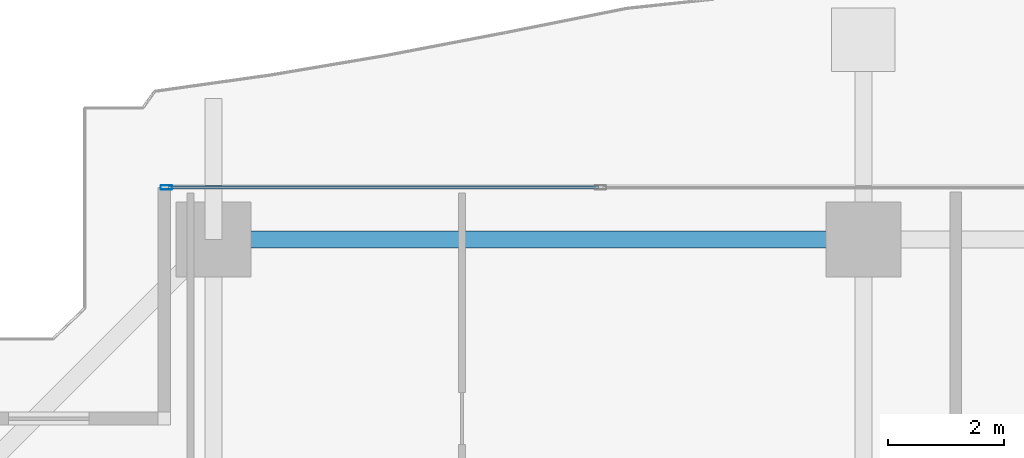
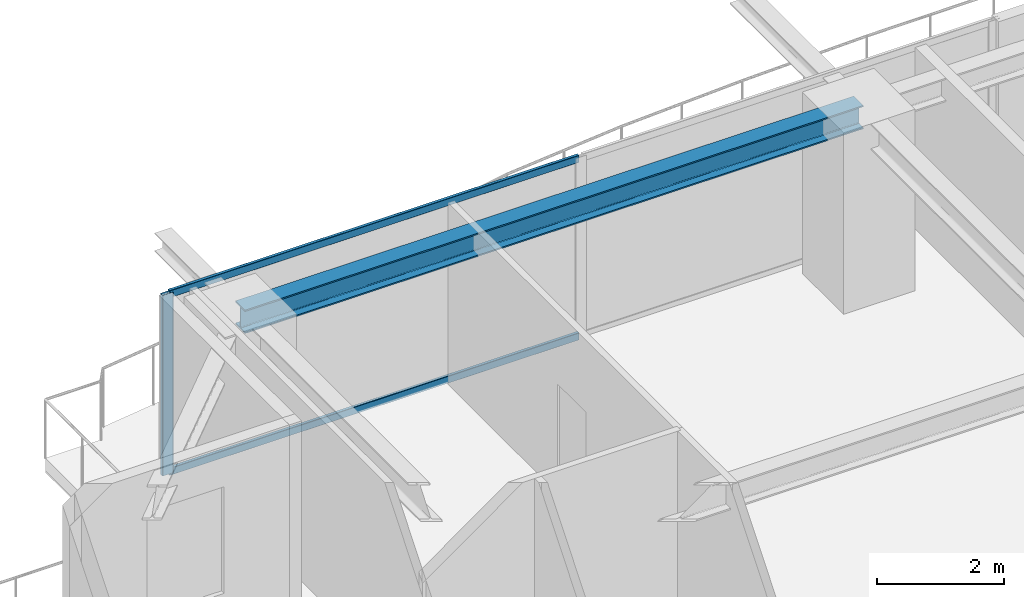
# One storey, part 16 of 33: 3 members, 1 beam, 1 element without a shape of its own.
"""IFC4 building model written with IfcOpenShell, lengths in metres."""

from ifc_helpers import new_model, si_unit, direction, frame, origin, origin_2d, place, context, subcontext, project, spatial, hollow_rectangle, i_section, extrude, source, transform, mapped, material, layer, layer_set, material_profile, profile_set, type_object, element, aggregate, save


model = new_model("IFC4")

# Units and contexts
model_context = context("Model", 3, precision=1e-05, world=origin(), true_north=direction((0.0, 1.0)))
body_context = subcontext(model_context, "Body", "Model", "MODEL_VIEW")
ifc_project = project(units=[si_unit("LENGTHUNIT", "METRE"), si_unit("AREAUNIT", "SQUARE_METRE"), si_unit("VOLUMEUNIT", "CUBIC_METRE"), si_unit("PLANEANGLEUNIT", "RADIAN"), si_unit("MASSUNIT", "GRAM", prefix="KILO")], contexts=[model_context])

# Site, building, storey
site_placement = place(None, origin())
site = spatial("IfcSite", under=ifc_project, at=site_placement, CompositionType="ELEMENT")
building_placement = place(site_placement, origin())
building = spatial("IfcBuilding", under=site, at=building_placement, Name="Serunith Strait Residences", CompositionType="ELEMENT")
storey_placement = place(building_placement, frame((0.0, 0.0, 165.14990234375)))
storey = spatial("IfcBuildingStorey", under=building, at=storey_placement, Name="L41", CompositionType="ELEMENT", Elevation=165.14990234375)

# Beam
ifc_material_1 = material(Name="Steel S355J2", Category="steel")
ifc_material_profile_1 = material_profile(ifc_material_1, i_section(OverallWidth=0.300048828125, OverallDepth=0.449951171875, WebThickness=0.013916015625, FlangeThickness=0.02587890625, FilletRadius=0.027099609375, at=origin_2d()), Name="HEB 450")
ifc_profile_set_1 = profile_set([ifc_material_profile_1], Name="Steel S355J2")
beam_type = type_object("IfcBeamType", Name="BM-HEB450", PredefinedType="BEAM", material=ifc_profile_set_1)
shared_shape_1 = source(origin(), body_context, "Body", "SweptSolid", [
    extrude(i_section(OverallWidth=0.300048828125, OverallDepth=0.449951171875, WebThickness=0.013916015625, FlangeThickness=0.02587890625, FilletRadius=0.027099609375, at=origin_2d()), origin(), (0.0, 0.0, 1.0), 11.25),
])
beam_placement = place(storey_placement, frame((27.89990234375, 48.10009765625, 3.26220703125), z_axis=(-1.0, 0.0, 0.0), x_axis=(0.0, -1.0, 0.0)))
element("IfcBeam", 1, at=beam_placement, inside=storey, type_object=beam_type, Name="L41 Perimeter Ring Beam 11", PredefinedType="BEAM", context=body_context, shape_type="MappedRepresentation", body=[
    mapped(shared_shape_1, transform((0.0, 0.0, 0.0), scale=1.0)),
])

# Curtain wall, members
ifc_material_2 = material(Name="Pale-Champagne Anodised Aluminium", Category="aluminium")
ifc_layer = layer(ifc_material_2, 0.199951171875, Name="Pale-Champagne Anodised Aluminium")
ifc_layer_set = layer_set([ifc_layer], Name="Pale-Champagne Anodised Aluminium")
curtain_wall_type = type_object("IfcCurtainWallType", Name="CW-SYS2", PredefinedType="NOTDEFINED", material=ifc_layer_set)
curtain_wall_placement = place(storey_placement, origin())
curtain_wall = element("IfcCurtainWall", 2, at=curtain_wall_placement, inside=storey, type_object=curtain_wall_type, Name="L41 N Unitised Fritted Curtain Wall", PredefinedType="NOTDEFINED")
ifc_material_profile_2 = material_profile(ifc_material_2, hollow_rectangle(XDim=0.070068359375, YDim=0.199951171875, WallThickness=0.00390625, InnerFilletRadius=0.006103515625, OuterFilletRadius=0.010009765625, at=origin_2d()), Name="ALU 200x70x4")
ifc_profile_set_2 = profile_set([ifc_material_profile_2], Name="Pale-Champagne Anodised Aluminium")
member_type_1 = type_object("IfcMemberType", Name="CW-SYS2-MULL", PredefinedType="MULLION", material=ifc_profile_set_2)
shared_shape_2 = source(origin(), body_context, "Body", "SweptSolid", [
    extrude(hollow_rectangle(XDim=0.070068359375, YDim=0.199951171875, WallThickness=0.00390625, InnerFilletRadius=0.006103515625, OuterFilletRadius=0.010009765625, at=origin_2d()), origin(), (0.0, 0.0, 1.0), 3.47509765625),
])
member_1_placement = place(storey_placement, frame((15.8349609375, 49.0, 0.0), z_axis=(0.0, 0.0, 1.0), x_axis=(0.0, -1.0, 0.0)))
member_1 = element("IfcMember", 3, at=member_1_placement, type_object=member_type_1, Name="CW-2 mullion 3", PredefinedType="MULLION", context=body_context, shape_type="MappedRepresentation", body=[
    mapped(shared_shape_2, transform((0.0, 0.0, 0.0), scale=1.0)),
])
ifc_material_profile_3 = material_profile(ifc_material_2, hollow_rectangle(XDim=0.06005859375, YDim=0.139892578125, WallThickness=0.00341796875, InnerFilletRadius=0.00537109375, OuterFilletRadius=0.0087890625, at=origin_2d()), Name="ALU 140x60x3.5")
ifc_profile_set_3 = profile_set([ifc_material_profile_3], Name="Pale-Champagne Anodised Aluminium")
member_type_2 = type_object("IfcMemberType", Name="CW-SYS2-TRAN", PredefinedType="USERDEFINED", material=ifc_profile_set_3)
shared_shape_3 = source(origin(), body_context, "Body", "SweptSolid", [
    extrude(hollow_rectangle(XDim=0.06005859375, YDim=0.139892578125, WallThickness=0.00341796875, InnerFilletRadius=0.00537109375, OuterFilletRadius=0.0087890625, at=origin_2d()), origin(), (0.0, 0.0, 1.0), 7.44482421875),
])
member_2_placement = place(storey_placement, frame((23.31494140625, 49.0, 0.030029296875), z_axis=(-1.0, 0.0, 0.0), x_axis=(0.0, -1.0, 0.0)))
member_2 = element("IfcMember", 4, at=member_2_placement, type_object=member_type_2, Name="CW-2 transom 2.1", ObjectType="TRANSOM", PredefinedType="USERDEFINED", context=body_context, shape_type="MappedRepresentation", body=[
    mapped(shared_shape_3, transform((0.0, 0.0, 0.0), scale=1.0)),
])
member_3_placement = place(storey_placement, frame((23.31494140625, 49.0, 3.445068359375), z_axis=(-1.0, 0.0, 0.0), x_axis=(0.0, -1.0, 0.0)))
member_3 = element("IfcMember", 5, at=member_3_placement, type_object=member_type_2, Name="CW-2 transom 2.2", ObjectType="TRANSOM", PredefinedType="USERDEFINED", context=body_context, shape_type="MappedRepresentation", body=[
    mapped(shared_shape_3, transform((0.0, 0.0, 0.0), scale=1.0)),
])
aggregate(curtain_wall, [member_1, member_2, member_3])

save(model, "model.ifc")
